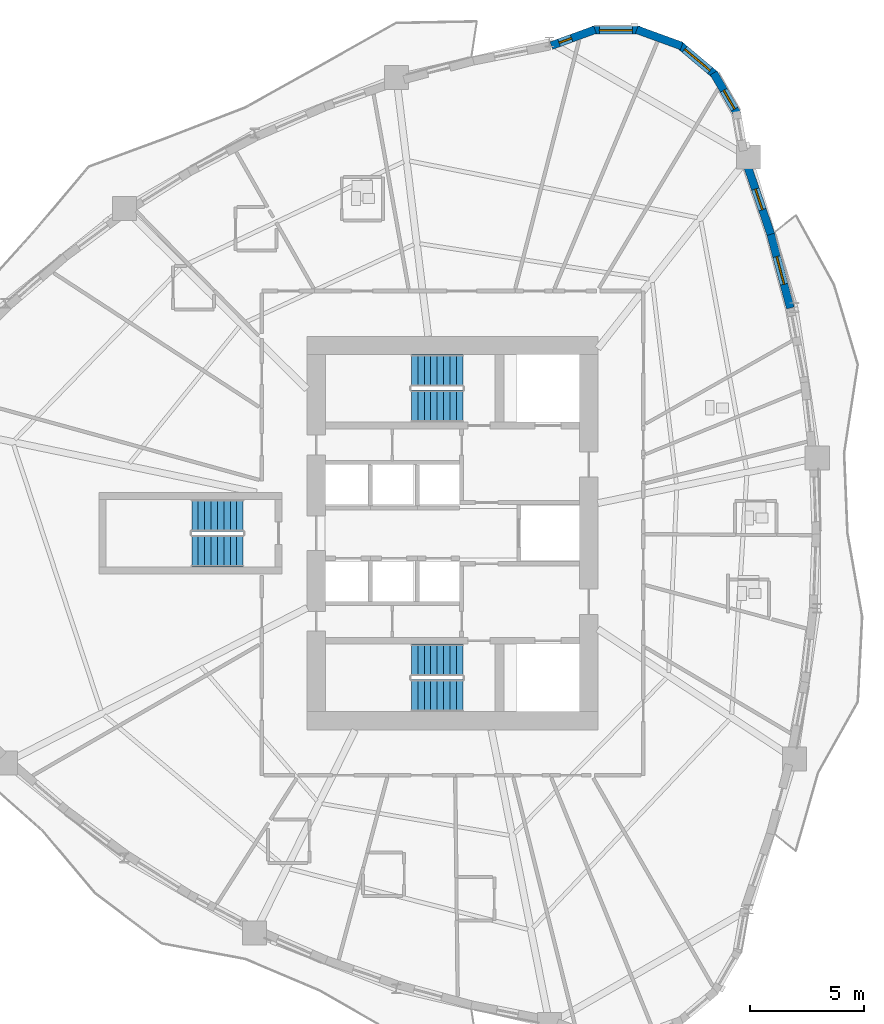
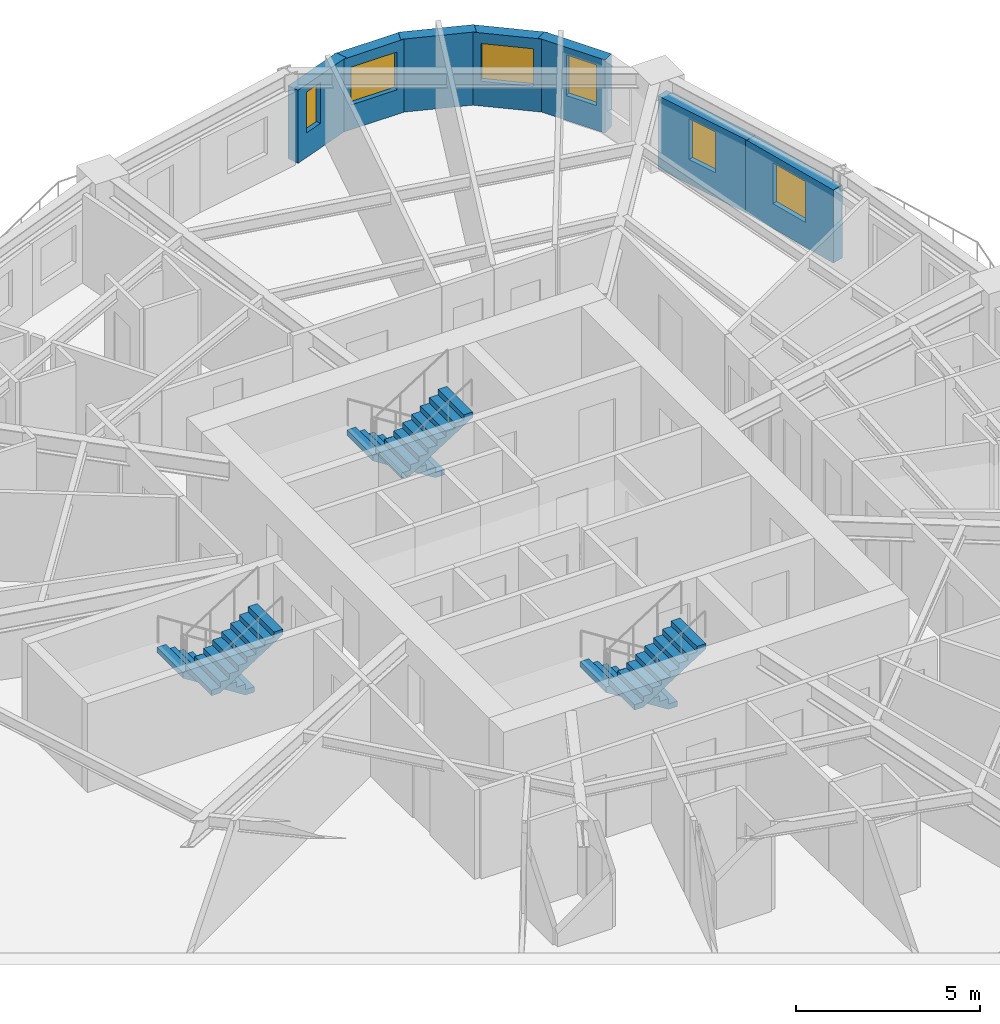
# One storey, part 9 of 13: 7 walls, 6 stair flights, 6 windows, 6 openings, 3 elements without a shape of their own.
"""IFC4 building model written with IfcOpenShell, lengths in metres."""

from ifc_helpers import new_model, si_unit, direction, frame, frame_2d, origin, place, context, subcontext, project, spatial, polyline, rectangle, outline, extrude, source, transform, mapped, material, layer, layer_set, type_object, element, fill, aggregate, save


model = new_model("IFC4")

# Units and contexts
model_context = context("Model", 3, precision=1e-05, world=origin(), true_north=direction((0.0, 1.0)))
body_context = subcontext(model_context, "Body", "Model", "MODEL_VIEW")
ifc_project = project(units=[si_unit("LENGTHUNIT", "METRE"), si_unit("AREAUNIT", "SQUARE_METRE"), si_unit("VOLUMEUNIT", "CUBIC_METRE"), si_unit("PLANEANGLEUNIT", "RADIAN"), si_unit("MASSUNIT", "GRAM", prefix="KILO")], contexts=[model_context])

# Site, building, storey
site_placement = place(None, origin())
site = spatial("IfcSite", under=ifc_project, at=site_placement, CompositionType="ELEMENT")
building_placement = place(site_placement, origin())
building = spatial("IfcBuilding", under=site, at=building_placement, Name="Qafzar Sky-Pleat Residences", CompositionType="ELEMENT")
storey_placement = place(building_placement, frame((0.0, 0.0, 46.199951171875)))
storey = spatial("IfcBuildingStorey", under=building, at=storey_placement, Name="L13", CompositionType="ELEMENT", Elevation=46.199951171875)

# Wall, opening, window
ifc_material_1 = material(Name="Precast concrete C40/50 with honed Riyadh limestone", Category="concrete")
ifc_layer = layer(ifc_material_1, 0.35009765625)
ifc_layer_set = layer_set([ifc_layer], Name="Precast concrete C40/50 with honed Riyadh limestone")
wall_type = type_object("IfcWallType", Name="WALL-EXT-350", PredefinedType="SOLIDWALL", material=ifc_layer_set)
wall_1_placement = place(storey_placement, frame((45.114501953125, 35.836669921875, 0.0), z_axis=(0.0, 0.0, 1.0), x_axis=(-0.257089380455, 0.966387629503, 0.0)))
wall_1 = element("IfcWall", 1, at=wall_1_placement, inside=storey, type_object=wall_type, Name="L13 Limestone Facade Wall 31", PredefinedType="SOLIDWALL", context=body_context, shape_type="SweptSolid", body=[
    extrude(rectangle(XDim=3.419677734375, YDim=0.35009765625, at=frame_2d((1.7099609375, 0.0))), origin(), (0.0, 0.0, 1.0), 2.420166015625),
])
opening_1_placement = place(wall_1_placement, frame((1.074951171875, 0.0, 0.820068359375)))
opening_1 = element("IfcOpeningElement", 2, at=opening_1_placement, cuts=wall_1, Name="Opening WN-11", PredefinedType="OPENING", context=body_context, shape_type="SweptSolid", body=[
    extrude(rectangle(XDim=1.25, YDim=1.35009765625, at=frame_2d((0.625, 0.675048828125))), frame((0.0, 0.18505859375, 0.0), z_axis=(0.0, -1.0, 0.0), x_axis=(1.0, 0.0, 0.0)), (0.0, 0.0, 1.0), 0.3701171875),
])
ifc_material_2 = material(Name="Solar-control low-E glass in bronze aluminium frame", Category="glass")
window_type_1 = type_object("IfcWindowType", Name="WIN-11", PartitioningType="SINGLE_PANEL", PredefinedType="WINDOW", material=ifc_material_2)
shared_shape_1 = source(origin(), body_context, "Body", "SweptSolid", [
    extrude(rectangle(XDim=1.25, YDim=1.35009765625, at=frame_2d((0.625, 0.675048828125))), frame((0.0, 0.030029296875, 0.0), z_axis=(0.0, -1.0, 0.0), x_axis=(1.0, 0.0, 0.0)), (0.0, 0.0, 1.0), 0.06005859375),
])
window_1_placement = place(opening_1_placement, origin())
window_1 = element("IfcWindow", 3, at=window_1_placement, inside=storey, type_object=window_type_1, Name="L13 Punched Facade Window 31", OverallHeight=1.35009765625, OverallWidth=1.25, PartitioningType="SINGLE_PANEL", PredefinedType="WINDOW", context=body_context, shape_type="MappedRepresentation", body=[
    mapped(shared_shape_1, transform((0.0, 0.0, 0.0), x_axis=(1.0, 0.0, 0.0), y_axis=(0.0, 1.0, 0.0), z_axis=(0.0, 0.0, 1.0), scale=1.0)),
])
fill(opening_1, window_1)

wall_2_placement = place(storey_placement, frame((44.260986328125, 39.05712890625, 0.0), z_axis=(0.0, 0.0, 1.0), x_axis=(-0.323605317701, 0.946192157205, 0.0)))
wall_2 = element("IfcWall", 4, at=wall_2_placement, inside=storey, type_object=wall_type, Name="L13 Limestone Facade Wall 32", PredefinedType="SOLIDWALL", context=body_context, shape_type="SweptSolid", body=[
    extrude(rectangle(XDim=3.21240234375, YDim=0.35009765625, at=frame_2d((1.606201171875, 0.0))), origin(), (0.0, 0.0, 1.0), 2.420166015625),
])
opening_2_placement = place(wall_2_placement, frame((1.13623046875, 0.0, 0.820068359375)))
opening_2 = element("IfcOpeningElement", 5, at=opening_2_placement, cuts=wall_2, Name="Opening WN-12", PredefinedType="OPENING", context=body_context, shape_type="SweptSolid", body=[
    extrude(rectangle(XDim=0.949951171875, YDim=1.35009765625, at=frame_2d((0.47509765625, 0.675048828125))), frame((0.0, 0.18505859375, 0.0), z_axis=(0.0, -1.0, 0.0), x_axis=(1.0, 0.0, 0.0)), (0.0, 0.0, 1.0), 0.3701171875),
])
window_type_2 = type_object("IfcWindowType", Name="WIN-12", PartitioningType="SINGLE_PANEL", PredefinedType="WINDOW", material=ifc_material_2)
shared_shape_2 = source(origin(), body_context, "Body", "SweptSolid", [
    extrude(rectangle(XDim=0.949951171875, YDim=1.35009765625, at=frame_2d((0.47509765625, 0.675048828125))), frame((0.0, 0.030029296875, 0.0), z_axis=(0.0, -1.0, 0.0), x_axis=(1.0, 0.0, 0.0)), (0.0, 0.0, 1.0), 0.06005859375),
])
window_2_placement = place(opening_2_placement, origin())
window_2 = element("IfcWindow", 6, at=window_2_placement, inside=storey, type_object=window_type_2, Name="L13 Punched Facade Window 32", OverallHeight=1.35009765625, OverallWidth=0.949951171875, PartitioningType="SINGLE_PANEL", PredefinedType="WINDOW", context=body_context, shape_type="MappedRepresentation", body=[
    mapped(shared_shape_2, transform((0.0, 0.0, 0.0), x_axis=(1.0, 0.0, 0.0), y_axis=(0.0, 1.0, 0.0), z_axis=(0.0, 0.0, 1.0), scale=1.0)),
])
fill(opening_2, window_2)

wall_3_placement = place(storey_placement, frame((42.8076171875, 44.300537109375, 0.0), z_axis=(0.0, 0.0, 1.0), x_axis=(-0.500046000743, 0.865998843614, 0.0)))
wall_3 = element("IfcWall", 7, at=wall_3_placement, inside=storey, type_object=wall_type, Name="L13 Limestone Facade Wall 34", PredefinedType="SOLIDWALL", context=body_context, shape_type="SweptSolid", body=[
    extrude(rectangle(XDim=2.090087890625, YDim=0.35009765625, at=frame_2d((1.044921875, 0.0))), origin(), (0.0, 0.0, 1.0), 2.420166015625),
])
opening_3_placement = place(wall_3_placement, frame((0.262939453125, 0.0, 0.820068359375)))
opening_3 = element("IfcOpeningElement", 8, at=opening_3_placement, cuts=wall_3, Name="Opening WN-12", PredefinedType="OPENING", context=body_context, shape_type="SweptSolid", body=[
    extrude(rectangle(XDim=0.949951171875, YDim=1.35009765625, at=frame_2d((0.47509765625, 0.675048828125))), frame((0.0, 0.18505859375, 0.0), z_axis=(0.0, -1.0, 0.0), x_axis=(1.0, 0.0, 0.0)), (0.0, 0.0, 1.0), 0.3701171875),
])
window_3_placement = place(opening_3_placement, origin())
window_3 = element("IfcWindow", 9, at=window_3_placement, inside=storey, type_object=window_type_2, Name="L13 Punched Facade Window 34", OverallHeight=1.35009765625, OverallWidth=0.949951171875, PartitioningType="SINGLE_PANEL", PredefinedType="WINDOW", context=body_context, shape_type="MappedRepresentation", body=[
    mapped(shared_shape_2, transform((0.0, 0.0, 0.0), x_axis=(1.0, 0.0, 0.0), y_axis=(0.0, 1.0, 0.0), z_axis=(0.0, 0.0, 1.0), scale=1.0)),
])
fill(opening_3, window_3)

wall_4_placement = place(storey_placement, frame((41.849609375, 46.0068359375, 0.0), z_axis=(0.0, 0.0, 1.0), x_axis=(-0.766024572719, 0.642811289563, 0.0)))
wall_4 = element("IfcWall", 10, at=wall_4_placement, inside=storey, type_object=wall_type, Name="L13 Limestone Facade Wall 35", PredefinedType="SOLIDWALL", context=body_context, shape_type="SweptSolid", body=[
    extrude(rectangle(XDim=2.09033203125, YDim=0.35009765625, at=frame_2d((1.045166015625, 0.0))), origin(), (0.0, 0.0, 1.0), 2.420166015625),
])
opening_4_placement = place(wall_4_placement, frame((0.3203125, 0.0, 0.820068359375)))
opening_4 = element("IfcOpeningElement", 11, at=opening_4_placement, cuts=wall_4, Name="Opening WN-15", PredefinedType="OPENING", context=body_context, shape_type="SweptSolid", body=[
    extrude(rectangle(XDim=1.449951171875, YDim=1.25, at=frame_2d((0.72509765625, 0.625))), frame((0.0, 0.18505859375, 0.0), z_axis=(0.0, -1.0, 0.0), x_axis=(1.0, 0.0, 0.0)), (0.0, 0.0, 1.0), 0.3701171875),
])
window_type_3 = type_object("IfcWindowType", Name="WIN-15", PartitioningType="SINGLE_PANEL", PredefinedType="WINDOW", material=ifc_material_2)
shared_shape_3 = source(origin(), body_context, "Body", "SweptSolid", [
    extrude(rectangle(XDim=1.449951171875, YDim=1.25, at=frame_2d((0.72509765625, 0.625))), frame((0.0, 0.030029296875, 0.0), z_axis=(0.0, -1.0, 0.0), x_axis=(1.0, 0.0, 0.0)), (0.0, 0.0, 1.0), 0.06005859375),
])
window_4_placement = place(opening_4_placement, origin())
window_4 = element("IfcWindow", 12, at=window_4_placement, inside=storey, type_object=window_type_3, Name="L13 Punched Facade Window 35", OverallHeight=1.25, OverallWidth=1.449951171875, PartitioningType="SINGLE_PANEL", PredefinedType="WINDOW", context=body_context, shape_type="MappedRepresentation", body=[
    mapped(shared_shape_3, transform((0.0, 0.0, 0.0), x_axis=(1.0, 0.0, 0.0), y_axis=(0.0, 1.0, 0.0), z_axis=(0.0, 0.0, 1.0), scale=1.0)),
])
fill(opening_4, window_4)

# Wall
wall_5_placement = place(storey_placement, frame((40.365966796875, 47.28271484375, 0.0), z_axis=(0.0, 0.0, 1.0), x_axis=(-0.939711556618, 0.341968113072, 0.0)))
element("IfcWall", 13, at=wall_5_placement, inside=storey, type_object=wall_type, Name="L13 Limestone Facade Wall 36", PredefinedType="SOLIDWALL", context=body_context, shape_type="SweptSolid", body=[
    extrude(rectangle(XDim=2.09033203125, YDim=0.35009765625, at=frame_2d((1.045166015625, 0.0))), origin(), (0.0, 0.0, 1.0), 2.420166015625),
])

# Wall, opening, window
wall_6_placement = place(storey_placement, frame((38.53515625, 47.97412109375, 0.0), z_axis=(0.0, 0.0, 1.0), x_axis=(-1.0, 0.0, 0.0)))
wall_6 = element("IfcWall", 14, at=wall_6_placement, inside=storey, type_object=wall_type, Name="L13 Limestone Facade Wall 37", PredefinedType="SOLIDWALL", context=body_context, shape_type="SweptSolid", body=[
    extrude(rectangle(XDim=2.09033203125, YDim=0.35009765625, at=frame_2d((1.045166015625, 0.0))), origin(), (0.0, 0.0, 1.0), 2.420166015625),
])
opening_5_placement = place(wall_6_placement, frame((0.3203125, 0.0, 0.820068359375)))
opening_5 = element("IfcOpeningElement", 15, at=opening_5_placement, cuts=wall_6, Name="Opening WN-15", PredefinedType="OPENING", context=body_context, shape_type="SweptSolid", body=[
    extrude(rectangle(XDim=1.449951171875, YDim=1.25, at=frame_2d((0.72509765625, 0.625))), frame((0.0, 0.18505859375, 0.0), z_axis=(0.0, -1.0, 0.0), x_axis=(1.0, 0.0, 0.0)), (0.0, 0.0, 1.0), 0.3701171875),
])
window_5_placement = place(opening_5_placement, origin())
window_5 = element("IfcWindow", 16, at=window_5_placement, inside=storey, type_object=window_type_3, Name="L13 Punched Facade Window 37", OverallHeight=1.25, OverallWidth=1.449951171875, PartitioningType="SINGLE_PANEL", PredefinedType="WINDOW", context=body_context, shape_type="MappedRepresentation", body=[
    mapped(shared_shape_3, transform((0.0, 0.0, 0.0), x_axis=(1.0, 0.0, 0.0), y_axis=(0.0, 1.0, 0.0), z_axis=(0.0, 0.0, 1.0), scale=1.0)),
])
fill(opening_5, window_5)

wall_7_placement = place(storey_placement, frame((36.578369140625, 47.99755859375, 0.0), z_axis=(0.0, 0.0, 1.0), x_axis=(-0.939691662178, -0.342022777067, 0.0)))
wall_7 = element("IfcWall", 17, at=wall_7_placement, inside=storey, type_object=wall_type, Name="L13 Limestone Facade Wall 38", PredefinedType="SOLIDWALL", context=body_context, shape_type="SweptSolid", body=[
    extrude(rectangle(XDim=2.0322265625, YDim=0.35009765625, at=frame_2d((1.01611328125, 0.0))), origin(), (0.0, 0.0, 1.0), 2.420166015625),
])
opening_6_placement = place(wall_7_placement, frame((1.09130859375, 0.0, 0.820068359375)))
opening_6 = element("IfcOpeningElement", 18, at=opening_6_placement, cuts=wall_7, Name="Opening WN-17", PredefinedType="OPENING", context=body_context, shape_type="SweptSolid", body=[
    extrude(rectangle(XDim=0.580078125, YDim=1.35009765625, at=frame_2d((0.2900390625, 0.675048828125))), frame((0.0, 0.18505859375, 0.0), z_axis=(0.0, -1.0, 0.0), x_axis=(1.0, 0.0, 0.0)), (0.0, 0.0, 1.0), 0.3701171875),
])
window_type_4 = type_object("IfcWindowType", Name="WIN-17", PartitioningType="SINGLE_PANEL", PredefinedType="WINDOW", material=ifc_material_2)
shared_shape_4 = source(origin(), body_context, "Body", "SweptSolid", [
    extrude(rectangle(XDim=0.580078125, YDim=1.35009765625, at=frame_2d((0.2900390625, 0.675048828125))), frame((0.0, 0.030029296875, 0.0), z_axis=(0.0, -1.0, 0.0), x_axis=(1.0, 0.0, 0.0)), (0.0, 0.0, 1.0), 0.06005859375),
])
window_6_placement = place(opening_6_placement, origin())
window_6 = element("IfcWindow", 19, at=window_6_placement, inside=storey, type_object=window_type_4, Name="L13 Punched Facade Window 38-2", OverallHeight=1.35009765625, OverallWidth=0.580078125, PartitioningType="SINGLE_PANEL", PredefinedType="WINDOW", context=body_context, shape_type="MappedRepresentation", body=[
    mapped(shared_shape_4, transform((0.0, 0.0, 0.0), x_axis=(1.0, 0.0, 0.0), y_axis=(0.0, 1.0, 0.0), z_axis=(0.0, 0.0, 1.0), scale=1.0)),
])
fill(opening_6, window_6)

# Stair, stair flights
ifc_material_3 = material(Name="Concrete C40/50", Category="concrete")
stair_type = type_object("IfcStairType", Name="STAIR-H320", PredefinedType="HALF_TURN_STAIR", material=ifc_material_3)
stair_1_placement = place(storey_placement, origin())
stair_1 = element("IfcStair", 20, at=stair_1_placement, inside=storey, type_object=stair_type, Name="L13 Protected Exit Stair ST1", PredefinedType="HALF_TURN_STAIR")
stair_flight_type = type_object("IfcStairFlightType", Name="FLIGHT-H320", PredefinedType="STRAIGHT", material=ifc_material_3)
shared_shape_5 = source(origin(), body_context, "Body", "SweptSolid", [
    extrude(outline(polyline([(0.0, 0.0), (0.0, 0.177734375), (0.280029296875, 0.177734375), (0.280029296875, 0.35546875), (0.56005859375, 0.35546875), (0.56005859375, 0.533447265625), (0.840087890625, 0.533447265625), (0.840087890625, 0.711181640625), (1.1201171875, 0.711181640625), (1.1201171875, 0.888916015625), (1.39990234375, 0.888916015625), (1.39990234375, 1.066650390625), (1.679931640625, 1.066650390625), (1.679931640625, 1.244384765625), (1.9599609375, 1.244384765625), (1.9599609375, 1.422119140625), (2.239990234375, 1.422119140625), (2.239990234375, 1.60009765625), (2.239990234375, 1.24462890625), (0.27978515625, 0.0), (0.0, 0.0)])), frame((0.0, 0.699951171875, 0.0), z_axis=(0.0, -1.0, 0.0), x_axis=(1.0, 0.0, 0.0)), (0.0, 0.0, 1.0), 1.39990234375),
])
stair_flight_1_placement = place(storey_placement, frame((30.800048828125, 20.449951171875, 0.0), z_axis=(0.0, 0.0, 1.0), x_axis=(-1.0, 0.0, 0.0)))
stair_flight_1 = element("IfcStairFlight", 21, at=stair_flight_1_placement, type_object=stair_flight_type, Name="ST1 flight 1", NumberOfRisers=9, NumberOfTreads=8, PredefinedType="STRAIGHT", RiserHeight=0.177777778, TreadLength=0.28, context=body_context, shape_type="MappedRepresentation", body=[
    mapped(shared_shape_5, transform((0.0, 0.0, 0.0), x_axis=(1.0, 0.0, 0.0), y_axis=(0.0, 1.0, 0.0), z_axis=(0.0, 0.0, 1.0), scale=1.0)),
])
stair_flight_2_placement = place(storey_placement, frame((28.56005859375, 18.89990234375, 1.60009765625), z_axis=(0.0, 0.0, 1.0), x_axis=(1.0, 0.0, 0.0)))
stair_flight_2 = element("IfcStairFlight", 22, at=stair_flight_2_placement, type_object=stair_flight_type, Name="ST1 flight 2", NumberOfRisers=9, NumberOfTreads=8, PredefinedType="STRAIGHT", RiserHeight=0.177777778, TreadLength=0.28, context=body_context, shape_type="MappedRepresentation", body=[
    mapped(shared_shape_5, transform((0.0, 0.0, 0.0), x_axis=(1.0, 0.0, 0.0), y_axis=(0.0, 1.0, 0.0), z_axis=(0.0, 0.0, 1.0), scale=1.0)),
])
aggregate(stair_1, [stair_flight_1, stair_flight_2])

stair_2_placement = place(storey_placement, origin())
stair_2 = element("IfcStair", 23, at=stair_2_placement, inside=storey, type_object=stair_type, Name="L13 Protected Exit Stair ST2", PredefinedType="HALF_TURN_STAIR")
stair_flight_3_placement = place(storey_placement, frame((30.800048828125, 33.10009765625, 0.0), z_axis=(0.0, 0.0, 1.0), x_axis=(-1.0, 0.0, 0.0)))
stair_flight_3 = element("IfcStairFlight", 24, at=stair_flight_3_placement, type_object=stair_flight_type, Name="ST2 flight 1", NumberOfRisers=9, NumberOfTreads=8, PredefinedType="STRAIGHT", RiserHeight=0.177777778, TreadLength=0.28, context=body_context, shape_type="MappedRepresentation", body=[
    mapped(shared_shape_5, transform((0.0, 0.0, 0.0), x_axis=(1.0, 0.0, 0.0), y_axis=(0.0, 1.0, 0.0), z_axis=(0.0, 0.0, 1.0), scale=1.0)),
])
stair_flight_4_placement = place(storey_placement, frame((28.56005859375, 31.550048828125, 1.60009765625), z_axis=(0.0, 0.0, 1.0), x_axis=(1.0, 0.0, 0.0)))
stair_flight_4 = element("IfcStairFlight", 25, at=stair_flight_4_placement, type_object=stair_flight_type, Name="ST2 flight 2", NumberOfRisers=9, NumberOfTreads=8, PredefinedType="STRAIGHT", RiserHeight=0.177777778, TreadLength=0.28, context=body_context, shape_type="MappedRepresentation", body=[
    mapped(shared_shape_5, transform((0.0, 0.0, 0.0), x_axis=(1.0, 0.0, 0.0), y_axis=(0.0, 1.0, 0.0), z_axis=(0.0, 0.0, 1.0), scale=1.0)),
])
aggregate(stair_2, [stair_flight_3, stair_flight_4])

stair_3_placement = place(storey_placement, origin())
stair_3 = element("IfcStair", 26, at=stair_3_placement, inside=storey, type_object=stair_type, Name="L13 Protected Exit Stair ST3", PredefinedType="HALF_TURN_STAIR")
stair_flight_5_placement = place(storey_placement, frame((21.199951171875, 26.77490234375, 0.0), z_axis=(0.0, 0.0, 1.0), x_axis=(-1.0, 0.0, 0.0)))
stair_flight_5 = element("IfcStairFlight", 27, at=stair_flight_5_placement, type_object=stair_flight_type, Name="ST3 flight 1", NumberOfRisers=9, NumberOfTreads=8, PredefinedType="STRAIGHT", RiserHeight=0.177777778, TreadLength=0.28, context=body_context, shape_type="MappedRepresentation", body=[
    mapped(shared_shape_5, transform((0.0, 0.0, 0.0), x_axis=(1.0, 0.0, 0.0), y_axis=(0.0, 1.0, 0.0), z_axis=(0.0, 0.0, 1.0), scale=1.0)),
])
stair_flight_6_placement = place(storey_placement, frame((18.9599609375, 25.22509765625, 1.60009765625), z_axis=(0.0, 0.0, 1.0), x_axis=(1.0, 0.0, 0.0)))
stair_flight_6 = element("IfcStairFlight", 28, at=stair_flight_6_placement, type_object=stair_flight_type, Name="ST3 flight 2", NumberOfRisers=9, NumberOfTreads=8, PredefinedType="STRAIGHT", RiserHeight=0.177777778, TreadLength=0.28, context=body_context, shape_type="MappedRepresentation", body=[
    mapped(shared_shape_5, transform((0.0, 0.0, 0.0), x_axis=(1.0, 0.0, 0.0), y_axis=(0.0, 1.0, 0.0), z_axis=(0.0, 0.0, 1.0), scale=1.0)),
])
aggregate(stair_3, [stair_flight_5, stair_flight_6])

save(model, "model.ifc")
